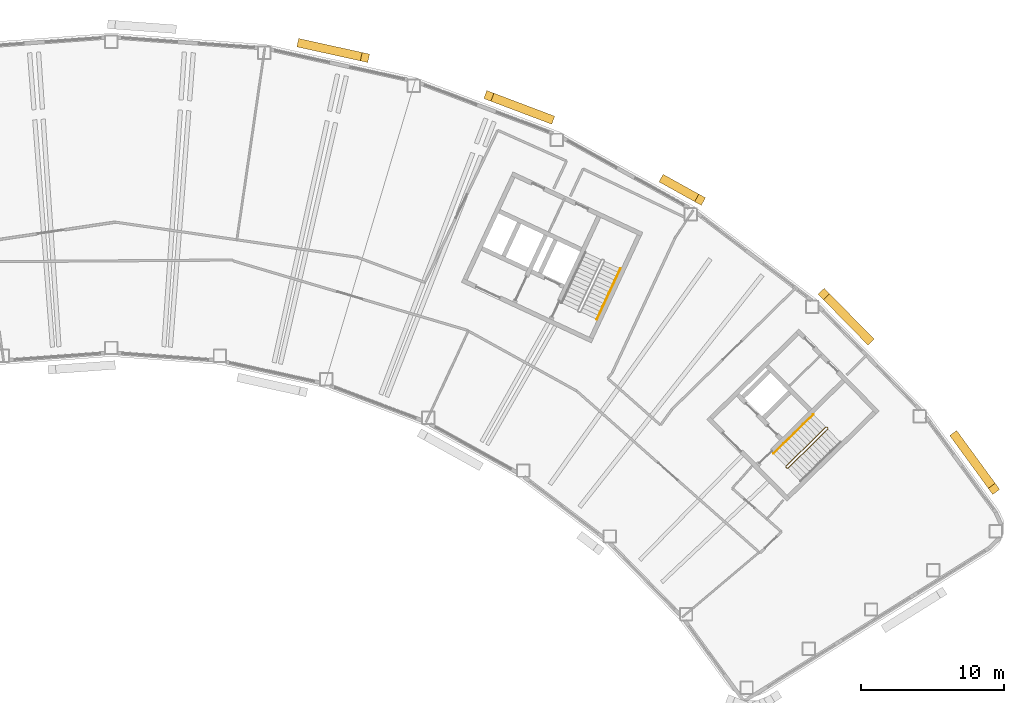
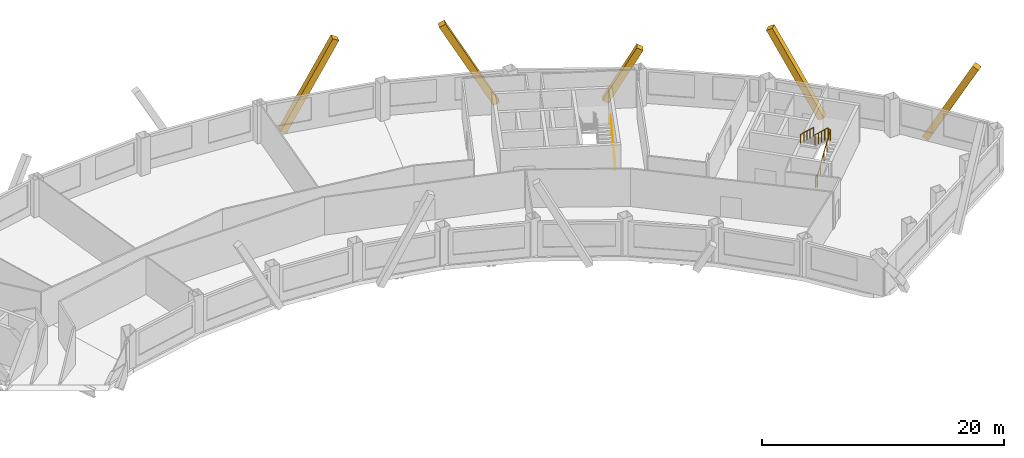
# One storey, part 12 of 12: 5 coverings, 3 railings.
"""IFC4 building model written with IfcOpenShell, lengths in metres."""

from ifc_helpers import new_model, si_unit, direction, frame, origin, origin_2d, place, context, subcontext, project, spatial, rectangle, circle, extrude, material, material_profile, profile_set, type_object, element, save


model = new_model("IFC4")

# Units and contexts
model_context = context("Model", 3, precision=1e-05, world=origin(), true_north=direction((0.0, 1.0)))
body_context = subcontext(model_context, "Body", "Model", "MODEL_VIEW")
ifc_project = project(units=[si_unit("LENGTHUNIT", "METRE"), si_unit("AREAUNIT", "SQUARE_METRE"), si_unit("VOLUMEUNIT", "CUBIC_METRE"), si_unit("PLANEANGLEUNIT", "RADIAN"), si_unit("MASSUNIT", "GRAM", prefix="KILO")], contexts=[model_context])

# Site, building, storey
site_placement = place(None, origin())
site = spatial("IfcSite", under=ifc_project, at=site_placement, CompositionType="ELEMENT")
building_placement = place(site_placement, origin())
building = spatial("IfcBuilding", under=site, at=building_placement, Name="Tuul Gate Civic Tower", CompositionType="ELEMENT")
storey_placement = place(building_placement, frame((0.0, 0.0, 172.10009765625)))
storey = spatial("IfcBuildingStorey", under=building, at=storey_placement, Name="Level 39", CompositionType="ELEMENT", Elevation=172.10009765625)

# Railings
ifc_material_1 = material(Name="Painted steel", Category="steel")
railing_type_1 = type_object("IfcRailingType", Name="Stair guard", PredefinedType="GUARDRAIL", material=ifc_material_1)
railing_1_placement = place(storey_placement, frame((48.10546875, -16.134765625, 0.0)))
element("IfcRailing", 1, at=railing_1_placement, inside=storey, type_object=railing_type_1, Name="Level 39 ST-3 stair guard 1", PredefinedType="GUARDRAIL", context=body_context, shape_type="SweptSolid", body=[
    extrude(circle(Radius=0.02392578125, at=origin_2d()), frame((0.0, 0.0, 1.076171875), z_axis=(-0.698506948293, 0.715603272202, 0.0), x_axis=(-0.715603272202, -0.698506948293, 0.0)), (0.0, 0.0, 1.0), 0.099853515625),
    extrude(circle(Radius=0.02392578125, at=origin_2d()), frame((-0.06982421875, 0.071533203125, 1.076171875), z_axis=(0.645446321009, -0.331687692741, 0.688027849131), x_axis=(0.457068866502, 0.889431307788, 0.0)), (0.0, 0.0, 1.0), 0.2177734375),
    extrude(circle(Radius=0.02392578125, at=origin_2d()), frame((0.07080078125, -0.000732421875, 1.22607421875), z_axis=(0.638731261263, 0.626133563701, 0.447190268558), x_axis=(-0.700029477518, 0.714113947914, 0.0)), (0.0, 0.0, 1.0), 4.3603515625),
    extrude(circle(Radius=0.02392578125, at=origin_2d()), frame((2.85595703125, 2.7294921875, 3.17578125), z_axis=(0.010380063588, 0.999946125689, 0.0), x_axis=(-0.999946125689, 0.010380063588, 0.0)), (0.0, 0.0, 1.0), 0.070556640625),
    extrude(circle(Radius=0.02392578125, at=origin_2d()), frame((2.856689453125, 2.800048828125, 3.17578125), z_axis=(-0.699754442181, 0.714383454909, 0.0), x_axis=(-0.714383454909, -0.699754442181, 0.0)), (0.0, 0.0, 1.0), 0.10009765625),
    extrude(circle(Radius=0.02392578125, at=origin_2d()), frame((2.78662109375, 2.87158203125, 3.17578125), z_axis=(-0.426501027327, 0.004412079593, 0.904476316574), x_axis=(-0.010344274102, -0.999946496565, 0.0)), (0.0, 0.0, 1.0), 0.166015625),
    extrude(circle(Radius=0.02392578125, at=origin_2d()), frame((2.7158203125, 2.872314453125, 3.326171875), z_axis=(-0.638731261263, -0.626133563701, 0.447190268558), x_axis=(0.700029477518, -0.714113947914, 0.0)), (0.0, 0.0, 1.0), 4.3603515625),
    extrude(circle(Radius=0.02099609375, at=origin_2d()), origin(), (0.0, 0.0, 1.0), 1.052001953125),
    extrude(circle(Radius=0.02099609375, at=origin_2d()), frame((-0.06982421875, 0.071533203125, 0.0)), (0.0, 0.0, 1.0), 1.052001953125),
    extrude(circle(Radius=0.02099609375, at=origin_2d()), frame((0.07080078125, -0.000732421875, 0.14990234375)), (0.0, 0.0, 1.0), 1.052001953125),
    extrude(circle(Radius=0.02099609375, at=origin_2d()), frame((0.76708984375, 0.681884765625, 0.637451171875)), (0.0, 0.0, 1.0), 1.052001953125),
    extrude(circle(Radius=0.02099609375, at=origin_2d()), frame((1.46337890625, 1.3642578125, 1.125)), (0.0, 0.0, 1.0), 1.052001953125),
    extrude(circle(Radius=0.02099609375, at=origin_2d()), frame((2.15966796875, 2.046875, 1.6123046875)), (0.0, 0.0, 1.0), 1.052001953125),
    extrude(circle(Radius=0.02099609375, at=origin_2d()), frame((2.85595703125, 2.7294921875, 2.099853515625)), (0.0, 0.0, 1.0), 1.052001953125),
    extrude(circle(Radius=0.02099609375, at=origin_2d()), frame((2.856689453125, 2.800048828125, 2.099853515625)), (0.0, 0.0, 1.0), 1.052001953125),
    extrude(circle(Radius=0.02099609375, at=origin_2d()), frame((2.78662109375, 2.87158203125, 2.099853515625)), (0.0, 0.0, 1.0), 1.052001953125),
    extrude(circle(Radius=0.02099609375, at=origin_2d()), frame((2.7158203125, 2.872314453125, 2.25)), (0.0, 0.0, 1.0), 1.052001953125),
    extrude(circle(Radius=0.02099609375, at=origin_2d()), frame((2.01953125, 2.189697265625, 2.737548828125)), (0.0, 0.0, 1.0), 1.052001953125),
    extrude(circle(Radius=0.02099609375, at=origin_2d()), frame((1.3232421875, 1.50732421875, 3.22509765625)), (0.0, 0.0, 1.0), 1.052001953125),
    extrude(circle(Radius=0.02099609375, at=origin_2d()), frame((0.626953125, 0.82470703125, 3.71240234375)), (0.0, 0.0, 1.0), 1.052001953125),
    extrude(circle(Radius=0.02099609375, at=origin_2d()), frame((-0.0693359375, 0.14208984375, 4.199951171875)), (0.0, 0.0, 1.0), 1.052001953125),
])
ifc_material_2 = material(Name="Painted steel", Category="steel")
railing_type_2 = type_object("IfcRailingType", Name="Stair handrail", PredefinedType="HANDRAIL", material=ifc_material_2)
railing_2_placement = place(storey_placement, frame((49.9462890625, -12.369873046875, 2.25)))
element("IfcRailing", 2, at=railing_2_placement, inside=storey, type_object=railing_type_2, Name="Level 39 ST-3 stair handrail 2", PredefinedType="HANDRAIL", context=body_context, shape_type="SweptSolid", body=[
    extrude(circle(Radius=0.02392578125, at=origin_2d()), frame((0.0, 0.0, 0.8759765625), z_axis=(-0.638753653487, -0.626099522554, 0.447205945863), x_axis=(0.699997553204, -0.714145241186, 0.0)), (0.0, 0.0, 1.0), 4.3603515625),
    extrude(circle(Radius=0.02099609375, at=origin_2d()), origin(), (0.0, 0.0, 1.0), 0.851806640625),
    extrude(circle(Radius=0.02099609375, at=origin_2d()), frame((-0.6962890625, -0.6826171875, 0.487548828125)), (0.0, 0.0, 1.0), 0.851806640625),
    extrude(circle(Radius=0.02099609375, at=origin_2d()), frame((-1.392578125, -1.364990234375, 0.97509765625)), (0.0, 0.0, 1.0), 0.851806640625),
    extrude(circle(Radius=0.02099609375, at=origin_2d()), frame((-2.0888671875, -2.04736328125, 1.46240234375)), (0.0, 0.0, 1.0), 0.851806640625),
    extrude(circle(Radius=0.02099609375, at=origin_2d()), frame((-2.78515625, -2.72998046875, 1.949951171875)), (0.0, 0.0, 1.0), 0.851806640625),
])
railing_3_placement = place(storey_placement, frame((34.844970703125, -5.74267578125, 0.14990234375)))
element("IfcRailing", 3, at=railing_3_placement, inside=storey, type_object=railing_type_2, Name="Level 39 ST-4 stair handrail 1", PredefinedType="HANDRAIL", context=body_context, shape_type="SweptSolid", body=[
    extrude(circle(Radius=0.02392578125, at=origin_2d()), frame((0.0, 0.0, 0.8759765625), z_axis=(0.377994896215, 0.810636958585, 0.447199709091), x_axis=(-0.906312636903, 0.422607861012, 0.0)), (0.0, 0.0, 1.0), 4.3603515625),
    extrude(circle(Radius=0.02099609375, at=origin_2d()), origin(), (0.0, 0.0, 1.0), 0.851806640625),
    extrude(circle(Radius=0.02099609375, at=origin_2d()), frame((0.412109375, 0.8837890625, 0.487548828125)), (0.0, 0.0, 1.0), 0.851806640625),
    extrude(circle(Radius=0.02099609375, at=origin_2d()), frame((0.82421875, 1.767333984375, 0.97509765625)), (0.0, 0.0, 1.0), 0.851806640625),
    extrude(circle(Radius=0.02099609375, at=origin_2d()), frame((1.236083984375, 2.65087890625, 1.46240234375)), (0.0, 0.0, 1.0), 0.851806640625),
    extrude(circle(Radius=0.02099609375, at=origin_2d()), frame((1.648193359375, 3.53466796875, 1.949951171875)), (0.0, 0.0, 1.0), 0.851806640625),
])

# Coverings
ifc_material_3 = material(Name="Terracotta baguette", Category="masonry")
ifc_material_profile = material_profile(ifc_material_3, rectangle(XDim=0.60009765625, YDim=0.60009765625, at=origin_2d()), Name="Terracotta baguette screen frame")
ifc_profile_set = profile_set([ifc_material_profile], Name="Terracotta baguette")
covering_type = type_object("IfcCoveringType", Name="Terracotta baguette screen frame", PredefinedType="CLADDING", material=ifc_profile_set)
covering_1_placement = place(storey_placement, frame((62.549560546875, -17.56884765625, 8.0498046875), z_axis=(-0.281344263108, 0.385258232812, -0.878875133148), x_axis=(-0.807581408805, -0.589756109042, 0.0)))
element("IfcCovering", 4, at=covering_1_placement, inside=storey, type_object=covering_type, Name="Baguette 17", PredefinedType="CLADDING", context=body_context, shape_type="SweptSolid", body=[
    extrude(rectangle(XDim=0.60009765625, YDim=0.60009765625, at=origin_2d()), origin(), (0.0, 0.0, 1.0), 9.5576171875),
])
covering_2_placement = place(storey_placement, frame((50.68359375, -3.97314453125, 7.88232421875), z_axis=(0.332625749652, -0.339305924745, -0.879904313037), x_axis=(0.714101368885, 0.700042309404, 0.0)))
element("IfcCovering", 5, at=covering_2_placement, inside=storey, type_object=covering_type, Name="Baguette 32", PredefinedType="CLADDING", context=body_context, shape_type="SweptSolid", body=[
    extrude(rectangle(XDim=0.60009765625, YDim=0.60009765625, at=origin_2d()), origin(), (0.0, 0.0, 1.0), 9.35595703125),
])
covering_3_placement = place(storey_placement, frame((42.050048828125, 2.6005859375, 4.923583984375), z_axis=(-0.415607388071, 0.230349875482, -0.879891717114), x_axis=(-0.484769274332, -0.874642070028, 0.0)))
element("IfcCovering", 6, at=covering_3_placement, inside=storey, type_object=covering_type, Name="Baguette 38", PredefinedType="CLADDING", context=body_context, shape_type="SweptSolid", body=[
    extrude(rectangle(XDim=0.60009765625, YDim=0.60009765625, at=origin_2d()), origin(), (0.0, 0.0, 1.0), 5.99365234375),
])
covering_4_placement = place(storey_placement, frame((27.31640625, 9.843994140625, 8.0498046875), z_axis=(0.444449007562, -0.168071746228, -0.879895998284), x_axis=(0.353711403676, 0.935354608108, 0.0)))
element("IfcCovering", 7, at=covering_4_placement, inside=storey, type_object=covering_type, Name="Baguette 53", PredefinedType="CLADDING", context=body_context, shape_type="SweptSolid", body=[
    extrude(rectangle(XDim=0.60009765625, YDim=0.60009765625, at=origin_2d()), origin(), (0.0, 0.0, 1.0), 9.54638671875),
])
covering_5_placement = place(storey_placement, frame((18.6728515625, 12.523193359375, 8.0498046875), z_axis=(-0.464036772307, 0.102269663955, -0.879892487627), x_axis=(-0.215226248943, -0.976564212823, 0.0)))
element("IfcCovering", 8, at=covering_5_placement, inside=storey, type_object=covering_type, Name="Baguette 59", PredefinedType="CLADDING", context=body_context, shape_type="SweptSolid", body=[
    extrude(rectangle(XDim=0.60009765625, YDim=0.60009765625, at=origin_2d()), origin(), (0.0, 0.0, 1.0), 9.546630859375),
])

save(model, "model.ifc")
